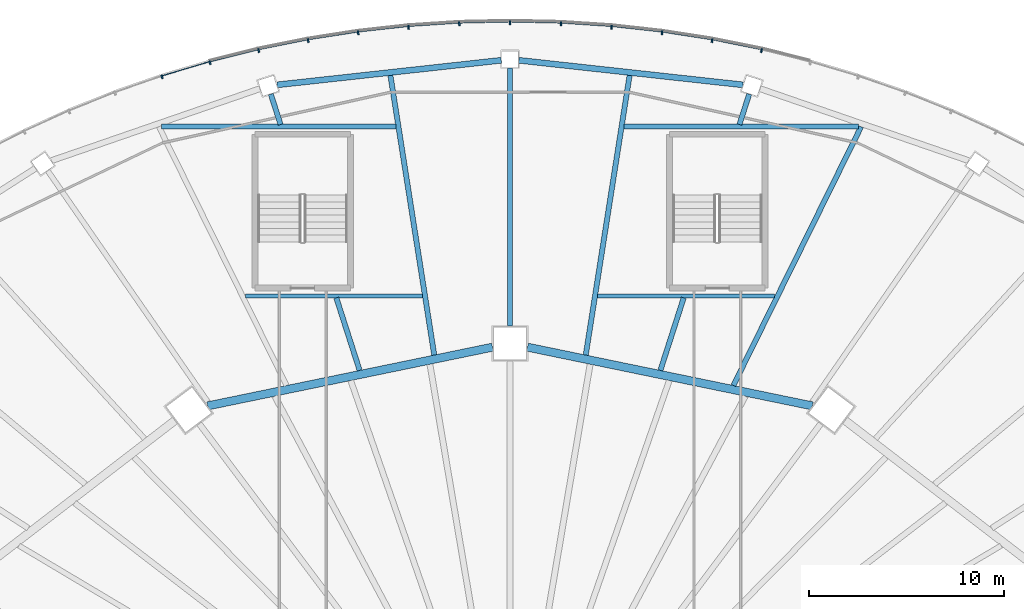
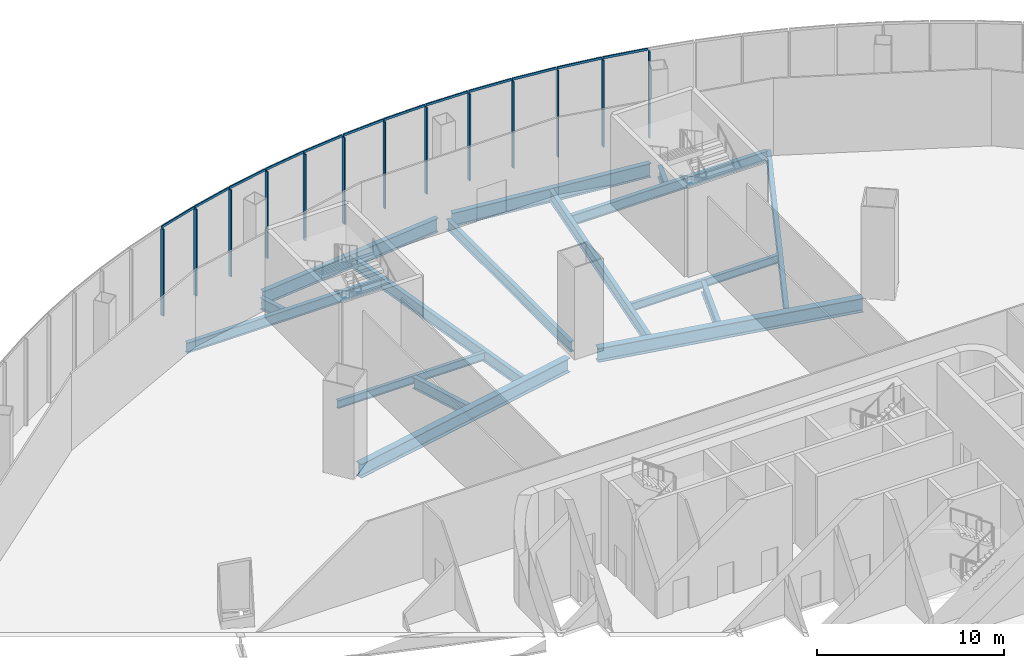
# One storey, part 14 of 37: 25 members, 16 beams, 3 elements without a shape of their own.
"""IFC4 building model written with IfcOpenShell, lengths in metres."""

from ifc_helpers import new_model, si_unit, direction, frame, origin, origin_2d, place, context, subcontext, project, spatial, rectangle, i_section, extrude, material, layer, layer_set, material_profile, profile_set, type_object, element, aggregate, save


model = new_model("IFC4")

# Units and contexts
model_context = context("Model", 3, precision=1e-05, world=origin(), true_north=direction((0.0, 1.0)))
body_context = subcontext(model_context, "Body", "Model", "MODEL_VIEW")
ifc_project = project(units=[si_unit("LENGTHUNIT", "METRE"), si_unit("AREAUNIT", "SQUARE_METRE"), si_unit("VOLUMEUNIT", "CUBIC_METRE"), si_unit("PLANEANGLEUNIT", "RADIAN"), si_unit("MASSUNIT", "GRAM", prefix="KILO")], contexts=[model_context])

# Site, building, storey
site_placement = place(None, origin())
site = spatial("IfcSite", under=ifc_project, at=site_placement, CompositionType="ELEMENT")
building_placement = place(site_placement, origin())
building = spatial("IfcBuilding", under=site, at=building_placement, Name="Sahrelin Media Tower", CompositionType="ELEMENT")
storey_placement = place(building_placement, frame((0.0, 0.0, 31.39990234375)))
storey = spatial("IfcBuildingStorey", under=building, at=storey_placement, Name="L04", CompositionType="ELEMENT", Elevation=31.39990234375)

# Beams
ifc_material_1 = material(Name="Steel S355", Category="steel")
ifc_material_profile_1 = material_profile(ifc_material_1, i_section(OverallWidth=0.208740234375, OverallDepth=0.5283203125, WebThickness=0.009521484375, FlangeThickness=0.01318359375, FilletRadius=0.0126953125, at=origin_2d()), Name="UB 533x210x82")
ifc_profile_set_1 = profile_set([ifc_material_profile_1], Name="Steel S355")
beam_type_1 = type_object("IfcBeamType", Name="Header beam HB6", PredefinedType="BEAM", material=ifc_profile_set_1)
for number, where, z_axis, x_axis, name in (
    (1, (13.59814453125, 27.85009765625, -0.464111328125), (-1.0, 0.0, 0.0), (0.0, -1.0, 0.0), "Header beam L04-01"),
    (2, (-4.50146484375, 27.85009765625, -0.464111328125), (-1.0, 0.0, 0.0), (0.0, -1.0, 0.0), "Header beam L04-03"),
):
    element("IfcBeam", number, at=place(storey_placement, frame(where, z_axis=z_axis, x_axis=x_axis)), inside=storey, type_object=beam_type_1, Name=name, PredefinedType="BEAM", context=body_context, shape_type="SweptSolid", body=[
        extrude(i_section(OverallWidth=0.208740234375, OverallDepth=0.5283203125, WebThickness=0.009521484375, FlangeThickness=0.01318359375, FilletRadius=0.0126953125, at=origin_2d()), origin(), (0.0, 0.0, 1.0), 9.0966796875),
    ])
ifc_material_profile_2 = material_profile(ifc_material_1, i_section(OverallWidth=0.2529296875, OverallDepth=0.677978515625, WebThickness=0.01171875, FlangeThickness=0.01611328125, FilletRadius=0.01513671875, at=origin_2d()), Name="UB 686x254x125")
ifc_profile_set_2 = profile_set([ifc_material_profile_2], Name="Steel S355")
beam_type_2 = type_object("IfcBeamType", Name="Header beam HB8", PredefinedType="BEAM", material=ifc_profile_set_2)
for number, where, z_axis, x_axis, name in (
    (3, (5.86572265625, 36.550048828125, -0.538818359375), (1.0, 0.0, 0.0), (0.0, 1.0, 0.0), "Header beam L04-02"),
    (4, (-17.892333984375, 36.550048828125, -0.538818359375), (1.0, 0.0, 0.0), (0.0, 1.0, 0.0), "Header beam L04-04"),
):
    element("IfcBeam", number, at=place(storey_placement, frame(where, z_axis=z_axis, x_axis=x_axis)), inside=storey, type_object=beam_type_2, Name=name, PredefinedType="BEAM", context=body_context, shape_type="SweptSolid", body=[
        extrude(i_section(OverallWidth=0.2529296875, OverallDepth=0.677978515625, WebThickness=0.01171875, FlangeThickness=0.01611328125, FilletRadius=0.01513671875, at=origin_2d()), origin(), (0.0, 0.0, 1.0), 12.026611328125),
    ])

# Curtain wall, members
ifc_material_2 = material(Name="Champagne anodised aluminium 6063-T6", Category="aluminium")
ifc_layer = layer(ifc_material_2, 0.14990234375)
ifc_layer_set = layer_set([ifc_layer], Name="Podium ribbon curtain wall")
curtain_wall_type = type_object("IfcCurtainWallType", Name="Podium ribbon curtain wall", PredefinedType="NOTDEFINED", material=ifc_layer_set)
curtain_wall_1_placement = place(storey_placement, frame((12.94091796875, 40.56884765625, 0.0), z_axis=(0.0, 0.0, 1.0), x_axis=(1.0, 0.0, 0.0)))
curtain_wall_1 = element("IfcCurtainWall", 5, at=curtain_wall_1_placement, inside=storey, type_object=curtain_wall_type, Name="L04:CW:L04-P05", PredefinedType="NOTDEFINED")
ifc_material_profile_3 = material_profile(ifc_material_2, rectangle(XDim=0.080078125, YDim=0.199951171875, at=origin_2d()), Name="Mullion 80x200")
ifc_profile_set_3 = profile_set([ifc_material_profile_3], Name="Champagne anodised aluminium 6063-T6")
member_type_1 = type_object("IfcMemberType", Name="Mullion 80x200 CW5", PredefinedType="MULLION", material=ifc_profile_set_3)
member_1_placement = place(storey_placement, frame((12.917236328125, 40.451416015625, 0.0), z_axis=(0.0, 0.0, 1.0), x_axis=(-0.980267034681, 0.197677871087, 0.0)))
member_1 = element("IfcMember", 6, at=member_1_placement, type_object=member_type_1, Name="L04:CWM1:L04-P05", PredefinedType="MULLION", context=body_context, shape_type="SweptSolid", body=[
    extrude(rectangle(XDim=0.080078125, YDim=0.199951171875, at=origin_2d()), origin(), (0.0, 0.0, 1.0), 5.650146484375),
])
member_2_placement = place(storey_placement, frame((10.377197265625, 40.963623046875, 0.0), z_axis=(0.0, 0.0, 1.0), x_axis=(-0.988097990296, 0.15382575068, 0.0)))
member_2 = element("IfcMember", 7, at=member_2_placement, type_object=member_type_1, Name="L04:CWM2:L04-P05", PredefinedType="MULLION", context=body_context, shape_type="SweptSolid", body=[
    extrude(rectangle(XDim=0.080078125, YDim=0.199951171875, at=origin_2d()), origin(), (0.0, 0.0, 1.0), 5.650146484375),
])
member_3_placement = place(storey_placement, frame((7.80859375, 41.363525390625, 0.0), z_axis=(0.0, 0.0, 1.0), x_axis=(-0.993941020741, 0.109914727352, 0.0)))
member_3 = element("IfcMember", 8, at=member_3_placement, type_object=member_type_1, Name="L04:CWM3:L04-P05", PredefinedType="MULLION", context=body_context, shape_type="SweptSolid", body=[
    extrude(rectangle(XDim=0.080078125, YDim=0.199951171875, at=origin_2d()), origin(), (0.0, 0.0, 1.0), 5.650146484375),
])
member_4_placement = place(storey_placement, frame((5.218505859375, 41.650146484375, 0.0), z_axis=(0.0, 0.0, 1.0), x_axis=(-0.997822354733, 0.06595868703, 0.0)))
member_4 = element("IfcMember", 9, at=member_4_placement, type_object=member_type_1, Name="L04:CWM4:L04-P05", PredefinedType="MULLION", context=body_context, shape_type="SweptSolid", body=[
    extrude(rectangle(XDim=0.080078125, YDim=0.199951171875, at=origin_2d()), origin(), (0.0, 0.0, 1.0), 5.650146484375),
])
member_5_placement = place(storey_placement, frame((2.6142578125, 41.822509765625, 0.0), z_axis=(0.0, 0.0, 1.0), x_axis=(-0.999757820498, 0.022006825162, 0.0)))
member_5 = element("IfcMember", 10, at=member_5_placement, type_object=member_type_1, Name="L04:CWM5:L04-P05", PredefinedType="MULLION", context=body_context, shape_type="SweptSolid", body=[
    extrude(rectangle(XDim=0.080078125, YDim=0.199951171875, at=origin_2d()), origin(), (0.0, 0.0, 1.0), 5.650146484375),
])

curtain_wall_2_placement = place(storey_placement, frame((0.0, 42.0, 0.0), z_axis=(0.0, 0.0, 1.0), x_axis=(1.0, 0.0, 0.0)))
curtain_wall_2 = element("IfcCurtainWall", 11, at=curtain_wall_2_placement, inside=storey, type_object=curtain_wall_type, Name="L04:CW:L04-P06", PredefinedType="NOTDEFINED")
member_6_placement = place(storey_placement, frame((0.002685546875, 41.8798828125, 0.0), z_axis=(0.0, 0.0, 1.0), x_axis=(-0.999757820498, -0.022006825162, 0.0)))
member_6 = element("IfcMember", 12, at=member_6_placement, type_object=member_type_1, Name="L04:CWM1:L04-P06", PredefinedType="MULLION", context=body_context, shape_type="SweptSolid", body=[
    extrude(rectangle(XDim=0.080078125, YDim=0.199951171875, at=origin_2d()), origin(), (0.0, 0.0, 1.0), 5.650146484375),
])
member_7_placement = place(storey_placement, frame((-2.60888671875, 41.82275390625, 0.0), z_axis=(0.0, 0.0, 1.0), x_axis=(-0.997822354733, -0.06595868703, 0.0)))
member_7 = element("IfcMember", 13, at=member_7_placement, type_object=member_type_1, Name="L04:CWM2:L04-P06", PredefinedType="MULLION", context=body_context, shape_type="SweptSolid", body=[
    extrude(rectangle(XDim=0.080078125, YDim=0.199951171875, at=origin_2d()), origin(), (0.0, 0.0, 1.0), 5.650146484375),
])
member_8_placement = place(storey_placement, frame((-5.213134765625, 41.650634765625, 0.0), z_axis=(0.0, 0.0, 1.0), x_axis=(-0.993941020741, -0.109914727352, 0.0)))
member_8 = element("IfcMember", 14, at=member_8_placement, type_object=member_type_1, Name="L04:CWM3:L04-P06", PredefinedType="MULLION", context=body_context, shape_type="SweptSolid", body=[
    extrude(rectangle(XDim=0.080078125, YDim=0.199951171875, at=origin_2d()), origin(), (0.0, 0.0, 1.0), 5.650146484375),
])
member_9_placement = place(storey_placement, frame((-7.80322265625, 41.3642578125, 0.0), z_axis=(0.0, 0.0, 1.0), x_axis=(-0.988097990296, -0.15382575068, 0.0)))
member_9 = element("IfcMember", 15, at=member_9_placement, type_object=member_type_1, Name="L04:CWM4:L04-P06", PredefinedType="MULLION", context=body_context, shape_type="SweptSolid", body=[
    extrude(rectangle(XDim=0.080078125, YDim=0.199951171875, at=origin_2d()), origin(), (0.0, 0.0, 1.0), 5.650146484375),
])
member_10_placement = place(storey_placement, frame((-10.371826171875, 40.964599609375, 0.0), z_axis=(0.0, 0.0, 1.0), x_axis=(-0.980267034681, -0.197677871087, 0.0)))
member_10 = element("IfcMember", 16, at=member_10_placement, type_object=member_type_1, Name="L04:CWM5:L04-P06", PredefinedType="MULLION", context=body_context, shape_type="SweptSolid", body=[
    extrude(rectangle(XDim=0.080078125, YDim=0.199951171875, at=origin_2d()), origin(), (0.0, 0.0, 1.0), 5.650146484375),
])

curtain_wall_3_placement = place(storey_placement, frame((-12.94091796875, 40.56884765625, 0.0), z_axis=(0.0, 0.0, 1.0), x_axis=(1.0, 0.0, 0.0)))
curtain_wall_3 = element("IfcCurtainWall", 17, at=curtain_wall_3_placement, inside=storey, type_object=curtain_wall_type, Name="L04:CW:L04-P07", PredefinedType="NOTDEFINED")
member_11_placement = place(storey_placement, frame((-12.912109375, 40.452392578125, 0.0), z_axis=(0.0, 0.0, 1.0), x_axis=(-0.970410464409, -0.241461240296, 0.0)))
member_11 = element("IfcMember", 18, at=member_11_placement, type_object=member_type_1, Name="L04:CWM1:L04-P07", PredefinedType="MULLION", context=body_context, shape_type="SweptSolid", body=[
    extrude(rectangle(XDim=0.080078125, YDim=0.199951171875, at=origin_2d()), origin(), (0.0, 0.0, 1.0), 5.650146484375),
])
member_12_placement = place(storey_placement, frame((-15.41650390625, 39.829345703125, 0.0), z_axis=(0.0, 0.0, 1.0), x_axis=(-0.958494922328, -0.285109599754, 0.0)))
member_12 = element("IfcMember", 19, at=member_12_placement, type_object=member_type_1, Name="L04:CWM2:L04-P07", PredefinedType="MULLION", context=body_context, shape_type="SweptSolid", body=[
    extrude(rectangle(XDim=0.080078125, YDim=0.199951171875, at=origin_2d()), origin(), (0.0, 0.0, 1.0), 5.650146484375),
])
member_13_placement = place(storey_placement, frame((-17.87890625, 39.09716796875, 0.0), z_axis=(0.0, 0.0, 1.0), x_axis=(-0.944458420046, -0.328630937077, 0.0)))
member_13 = element("IfcMember", 20, at=member_13_placement, type_object=member_type_1, Name="L04:CWM3:L04-P07", PredefinedType="MULLION", context=body_context, shape_type="SweptSolid", body=[
    extrude(rectangle(XDim=0.080078125, YDim=0.199951171875, at=origin_2d()), origin(), (0.0, 0.0, 1.0), 5.650146484375),
])

# Beams
ifc_material_profile_4 = material_profile(ifc_material_1, i_section(OverallWidth=0.30322265625, OverallDepth=0.903076171875, WebThickness=0.01513671875, FlangeThickness=0.020263671875, FilletRadius=0.01904296875, at=origin_2d()), Name="UB 914x305x201")
ifc_profile_set_4 = profile_set([ifc_material_profile_4], Name="Steel S355")
beam_type_3 = type_object("IfcBeamType", Name="Podium edge girder PE11", PredefinedType="BEAM", material=ifc_profile_set_4)
for number, where, z_axis, x_axis, name in (
    (21, (11.966796875, 38.68701171875, -0.6513671875), (-0.994034160473, 0.109069188193, 0.0), (-0.109069188193, -0.994034160473, 0.0), "Podium edge girder L04-06"),
    (22, (-0.449951171875, 39.95068359375, -0.6513671875), (-0.994034160473, -0.109069188193, 0.0), (0.109069188193, -0.994034160473, 0.0), "Podium edge girder L04-07"),
):
    element("IfcBeam", number, at=place(storey_placement, frame(where, z_axis=z_axis, x_axis=x_axis)), inside=storey, type_object=beam_type_3, Name=name, PredefinedType="BEAM", context=body_context, shape_type="SweptSolid", body=[
        extrude(i_section(OverallWidth=0.30322265625, OverallDepth=0.903076171875, WebThickness=0.01513671875, FlangeThickness=0.020263671875, FilletRadius=0.01904296875, at=origin_2d()), origin(), (0.0, 0.0, 1.0), 11.5859375),
    ])
ifc_material_profile_5 = material_profile(ifc_material_1, i_section(OverallWidth=0.41845703125, OverallDepth=0.911865234375, WebThickness=0.019287109375, FlangeThickness=0.031982421875, FilletRadius=0.024169921875, at=origin_2d()), Name="UB 914x419x343")
ifc_profile_set_5 = profile_set([ifc_material_profile_5], Name="Steel S355")
beam_type_4 = type_object("IfcBeamType", Name="Podium ring girder PG12", PredefinedType="BEAM", material=ifc_profile_set_5)
for number, where, z_axis, x_axis, name in (
    (23, (15.525634765625, 22.197998046875, -0.65576171875), (-0.979388513106, 0.201985495508, 0.0), (-0.201985495508, -0.979388513106, 0.0), "Podium girder L04-03"),
    (24, (-0.89990234375, 25.21435546875, -0.65576171875), (-0.979388513106, -0.201985495508, 0.0), (0.201985495508, -0.979388513106, 0.0), "Podium girder L04-04"),
):
    element("IfcBeam", number, at=place(storey_placement, frame(where, z_axis=z_axis, x_axis=x_axis)), inside=storey, type_object=beam_type_4, Name=name, PredefinedType="BEAM", context=body_context, shape_type="SweptSolid", body=[
        extrude(i_section(OverallWidth=0.41845703125, OverallDepth=0.911865234375, WebThickness=0.019287109375, FlangeThickness=0.031982421875, FilletRadius=0.024169921875, at=origin_2d()), origin(), (0.0, 0.0, 1.0), 14.93359375),
    ])
ifc_material_profile_6 = material_profile(ifc_material_1, i_section(OverallWidth=0.2529296875, OverallDepth=0.677978515625, WebThickness=0.01171875, FlangeThickness=0.01611328125, FilletRadius=0.01513671875, at=origin_2d()), Name="UB 686x254x125")
ifc_profile_set_6 = profile_set([ifc_material_profile_6], Name="Steel S355")
beam_type_5 = type_object("IfcBeamType", Name="Radial primary beam PB8", PredefinedType="BEAM", material=ifc_profile_set_6)
beam_1_placement = place(storey_placement, frame((0.0, 26.300048828125, -0.538818359375), z_axis=(0.0, 1.0, 0.0), x_axis=(-1.0, 0.0, 0.0)))
element("IfcBeam", 25, at=beam_1_placement, inside=storey, type_object=beam_type_5, Name="Radial beam L04-08", PredefinedType="BEAM", context=body_context, shape_type="SweptSolid", body=[
    extrude(i_section(OverallWidth=0.2529296875, OverallDepth=0.677978515625, WebThickness=0.01171875, FlangeThickness=0.01611328125, FilletRadius=0.01513671875, at=origin_2d()), origin(), (0.0, 0.0, 1.0), 13.25),
])
ifc_material_profile_7 = material_profile(ifc_material_1, i_section(OverallWidth=0.26513671875, OverallDepth=0.75390625, WebThickness=0.0126953125, FlangeThickness=0.017578125, FilletRadius=0.0166015625, at=origin_2d()), Name="UB 762x267x147")
ifc_profile_set_7 = profile_set([ifc_material_profile_7], Name="Steel S355")
beam_type_6 = type_object("IfcBeamType", Name="Radial primary beam PB9", PredefinedType="BEAM", material=ifc_profile_set_7)
beam_2_placement = place(storey_placement, frame((7.7236328125, 24.020751953125, -0.576904296875), z_axis=(0.30607575523, 0.952007159669, 0.0), x_axis=(-0.952007159669, 0.30607575523, 0.0)))
element("IfcBeam", 26, at=beam_2_placement, inside=storey, type_object=beam_type_6, Name="Radial beam L04-06", PredefinedType="BEAM", context=body_context, shape_type="SweptSolid", body=[
    extrude(i_section(OverallWidth=0.26513671875, OverallDepth=0.75390625, WebThickness=0.0126953125, FlangeThickness=0.017578125, FilletRadius=0.0166015625, at=origin_2d()), origin(), (0.0, 0.0, 1.0), 3.917236328125),
])
beam_3_placement = place(storey_placement, frame((11.784423828125, 36.64990234375, -0.576904296875), z_axis=(0.306144333921, 0.951985108501, 0.0), x_axis=(-0.951985108501, 0.306144333921, 0.0)))
element("IfcBeam", 27, at=beam_3_placement, inside=storey, type_object=beam_type_6, Name="Radial beam L04-07", PredefinedType="BEAM", context=body_context, shape_type="SweptSolid", body=[
    extrude(i_section(OverallWidth=0.26513671875, OverallDepth=0.75390625, WebThickness=0.0126953125, FlangeThickness=0.017578125, FilletRadius=0.0166015625, at=origin_2d()), origin(), (0.0, 0.0, 1.0), 1.63720703125),
])
beam_4_placement = place(storey_placement, frame((-7.7236328125, 24.020751953125, -0.576904296875), z_axis=(-0.30607575523, 0.952007159669, 0.0), x_axis=(-0.952007159669, -0.30607575523, 0.0)))
element("IfcBeam", 28, at=beam_4_placement, inside=storey, type_object=beam_type_6, Name="Radial beam L04-09", PredefinedType="BEAM", context=body_context, shape_type="SweptSolid", body=[
    extrude(i_section(OverallWidth=0.26513671875, OverallDepth=0.75390625, WebThickness=0.0126953125, FlangeThickness=0.017578125, FilletRadius=0.0166015625, at=origin_2d()), origin(), (0.0, 0.0, 1.0), 3.917236328125),
])
beam_5_placement = place(storey_placement, frame((-11.784423828125, 36.64990234375, -0.576904296875), z_axis=(-0.306144333921, 0.951985108501, 0.0), x_axis=(-0.951985108501, -0.306144333921, 0.0)))
element("IfcBeam", 29, at=beam_5_placement, inside=storey, type_object=beam_type_6, Name="Radial beam L04-10", PredefinedType="BEAM", context=body_context, shape_type="SweptSolid", body=[
    extrude(i_section(OverallWidth=0.26513671875, OverallDepth=0.75390625, WebThickness=0.0126953125, FlangeThickness=0.017578125, FilletRadius=0.0166015625, at=origin_2d()), origin(), (0.0, 0.0, 1.0), 1.63720703125),
])
ifc_material_profile_8 = material_profile(ifc_material_1, i_section(OverallWidth=0.26513671875, OverallDepth=0.75390625, WebThickness=0.0126953125, FlangeThickness=0.017578125, FilletRadius=0.0166015625, at=origin_2d()), Name="UB 762x267x147")
ifc_profile_set_8 = profile_set([ifc_material_profile_8], Name="Steel S355")
beam_type_7 = type_object("IfcBeamType", Name="Radial secondary beam SB9", PredefinedType="BEAM", material=ifc_profile_set_8)
beam_6_placement = place(storey_placement, frame((11.47412109375, 23.247314453125, -0.576904296875), z_axis=(0.442602611298, 0.896717864477, 0.0), x_axis=(-0.896717864477, 0.442602611298, 0.0)))
element("IfcBeam", 30, at=beam_6_placement, inside=storey, type_object=beam_type_7, Name="Secondary beam L04-05", PredefinedType="BEAM", context=body_context, shape_type="SweptSolid", body=[
    extrude(i_section(OverallWidth=0.26513671875, OverallDepth=0.75390625, WebThickness=0.0126953125, FlangeThickness=0.017578125, FilletRadius=0.0166015625, at=origin_2d()), origin(), (0.0, 0.0, 1.0), 14.8232421875),
])
for number, where, z_axis, x_axis, name in (
    (31, (3.890869140625, 24.811279296875, -0.576904296875), (0.154919883605, 0.987927036609, 0.0), (-0.987927036609, 0.154919883605, 0.0), "Secondary beam L04-06"),
    (32, (-3.890869140625, 24.811279296875, -0.576904296875), (-0.154919883605, 0.987927036609, 0.0), (-0.987927036609, -0.154919883605, 0.0), "Secondary beam L04-07"),
):
    element("IfcBeam", number, at=place(storey_placement, frame(where, z_axis=z_axis, x_axis=x_axis)), inside=storey, type_object=beam_type_7, Name=name, PredefinedType="BEAM", context=body_context, shape_type="SweptSolid", body=[
        extrude(i_section(OverallWidth=0.26513671875, OverallDepth=0.75390625, WebThickness=0.0126953125, FlangeThickness=0.017578125, FilletRadius=0.0166015625, at=origin_2d()), origin(), (0.0, 0.0, 1.0), 14.537841796875),
    ])

# Member
ifc_material_profile_9 = material_profile(ifc_material_2, rectangle(XDim=0.06005859375, YDim=0.14990234375, at=origin_2d()), Name="Transom 60x150")
ifc_profile_set_9 = profile_set([ifc_material_profile_9], Name="Champagne anodised aluminium 6063-T6")
member_type_2 = type_object("IfcMemberType", Name="Transom 60x150 CW5", PredefinedType="USERDEFINED", material=ifc_profile_set_9)
member_14_placement = place(storey_placement, frame((12.882080078125, 40.52978515625, 5.72509765625), z_axis=(-0.980266003838, 0.197682982877, 0.0), x_axis=(-0.197682982877, -0.980266003838, 0.0)))
member_14 = element("IfcMember", 33, at=member_14_placement, type_object=member_type_2, Name="L04:CWT1a:L04-P05", ObjectType="TRANSOM", PredefinedType="USERDEFINED", context=body_context, shape_type="SweptSolid", body=[
    extrude(rectangle(XDim=0.06005859375, YDim=0.14990234375, at=origin_2d()), origin(), (0.0, 0.0, 1.0), 2.546630859375),
])

member_15_placement = place(storey_placement, frame((10.33837890625, 41.04052734375, 5.72509765625), z_axis=(-0.98809388136, 0.153852142069, 0.0), x_axis=(-0.153852142069, -0.98809388136, 0.0)))
member_15 = element("IfcMember", 34, at=member_15_placement, type_object=member_type_2, Name="L04:CWT2a:L04-P05", ObjectType="TRANSOM", PredefinedType="USERDEFINED", context=body_context, shape_type="SweptSolid", body=[
    extrude(rectangle(XDim=0.06005859375, YDim=0.14990234375, at=origin_2d()), origin(), (0.0, 0.0, 1.0), 2.554931640625),
])

member_16_placement = place(storey_placement, frame((7.7666015625, 41.438720703125, 5.72509765625), z_axis=(-0.9939417213, 0.109908392122, 0.0), x_axis=(-0.109908392122, -0.9939417213, 0.0)))
member_16 = element("IfcMember", 35, at=member_16_placement, type_object=member_type_2, Name="L04:CWT3a:L04-P05", ObjectType="TRANSOM", PredefinedType="USERDEFINED", context=body_context, shape_type="SweptSolid", body=[
    extrude(rectangle(XDim=0.06005859375, YDim=0.14990234375, at=origin_2d()), origin(), (0.0, 0.0, 1.0), 2.561279296875),
])

member_17_placement = place(storey_placement, frame((5.173095703125, 41.723388671875, 5.72509765625), z_axis=(-0.997822480178, 0.065956789275, 0.0), x_axis=(-0.065956789275, -0.997822480178, 0.0)))
member_17 = element("IfcMember", 36, at=member_17_placement, type_object=member_type_2, Name="L04:CWT4a:L04-P05", ObjectType="TRANSOM", PredefinedType="USERDEFINED", context=body_context, shape_type="SweptSolid", body=[
    extrude(rectangle(XDim=0.06005859375, YDim=0.14990234375, at=origin_2d()), origin(), (0.0, 0.0, 1.0), 2.565185546875),
])

member_18_placement = place(storey_placement, frame((2.565673828125, 41.8935546875, 5.72509765625), z_axis=(-0.999758731389, 0.021965404884, 0.0), x_axis=(-0.021965404884, -0.999758731389, 0.0)))
member_18 = element("IfcMember", 37, at=member_18_placement, type_object=member_type_2, Name="L04:CWT5a:L04-P05", ObjectType="TRANSOM", PredefinedType="USERDEFINED", context=body_context, shape_type="SweptSolid", body=[
    extrude(rectangle(XDim=0.06005859375, YDim=0.14990234375, at=origin_2d()), origin(), (0.0, 0.0, 1.0), 2.567626953125),
])

aggregate(curtain_wall_1, [member_1, member_14, member_2, member_15, member_3, member_16, member_4, member_17, member_5, member_18])

member_19_placement = place(storey_placement, frame((-0.048828125, 41.948974609375, 5.72509765625), z_axis=(-0.999756638726, -0.022060447041, 0.0), x_axis=(0.022060447041, -0.999756638726, 0.0)))
member_19 = element("IfcMember", 38, at=member_19_placement, type_object=member_type_2, Name="L04:CWT1a:L04-P06", ObjectType="TRANSOM", PredefinedType="USERDEFINED", context=body_context, shape_type="SweptSolid", body=[
    extrude(rectangle(XDim=0.06005859375, YDim=0.14990234375, at=origin_2d()), origin(), (0.0, 0.0, 1.0), 2.567626953125),
])

member_20_placement = place(storey_placement, frame((-2.663330078125, 41.88916015625, 5.72509765625), z_axis=(-0.997822894162, -0.065950526052, 0.0), x_axis=(0.065950526052, -0.997822894162, 0.0)))
member_20 = element("IfcMember", 39, at=member_20_placement, type_object=member_type_2, Name="L04:CWT2a:L04-P06", ObjectType="TRANSOM", PredefinedType="USERDEFINED", context=body_context, shape_type="SweptSolid", body=[
    extrude(rectangle(XDim=0.06005859375, YDim=0.14990234375, at=origin_2d()), origin(), (0.0, 0.0, 1.0), 2.5654296875),
])

member_21_placement = place(storey_placement, frame((-5.2705078125, 41.714599609375, 5.72509765625), z_axis=(-0.9939417213, -0.109908392122, 0.0), x_axis=(0.109908392122, -0.9939417213, 0.0)))
member_21 = element("IfcMember", 40, at=member_21_placement, type_object=member_type_2, Name="L04:CWT3a:L04-P06", ObjectType="TRANSOM", PredefinedType="USERDEFINED", context=body_context, shape_type="SweptSolid", body=[
    extrude(rectangle(XDim=0.06005859375, YDim=0.14990234375, at=origin_2d()), origin(), (0.0, 0.0, 1.0), 2.561279296875),
])

member_22_placement = place(storey_placement, frame((-7.86328125, 41.42578125, 5.72509765625), z_axis=(-0.988096142999, -0.153837616307, 0.0), x_axis=(0.153837616307, -0.988096142999, 0.0)))
member_22 = element("IfcMember", 41, at=member_22_placement, type_object=member_type_2, Name="L04:CWT4a:L04-P06", ObjectType="TRANSOM", PredefinedType="USERDEFINED", context=body_context, shape_type="SweptSolid", body=[
    extrude(rectangle(XDim=0.06005859375, YDim=0.14990234375, at=origin_2d()), origin(), (0.0, 0.0, 1.0), 2.55517578125),
])

member_23_placement = place(storey_placement, frame((-10.434814453125, 41.023193359375, 5.72509765625), z_axis=(-0.980284577643, -0.197590857166, 0.0), x_axis=(0.197590857166, -0.980284577643, 0.0)))
member_23 = element("IfcMember", 42, at=member_23_placement, type_object=member_type_2, Name="L04:CWT5a:L04-P06", ObjectType="TRANSOM", PredefinedType="USERDEFINED", context=body_context, shape_type="SweptSolid", body=[
    extrude(rectangle(XDim=0.06005859375, YDim=0.14990234375, at=origin_2d()), origin(), (0.0, 0.0, 1.0), 2.546630859375),
])

aggregate(curtain_wall_2, [member_6, member_19, member_7, member_20, member_8, member_21, member_9, member_22, member_10, member_23])

member_24_placement = place(storey_placement, frame((-12.977294921875, 40.50830078125, 5.72509765625), z_axis=(-0.970424936956, -0.241403069023, 0.0), x_axis=(0.241403069023, -0.970424936956, 0.0)))
member_24 = element("IfcMember", 43, at=member_24_placement, type_object=member_type_2, Name="L04:CWT1a:L04-P07", ObjectType="TRANSOM", PredefinedType="USERDEFINED", context=body_context, shape_type="SweptSolid", body=[
    extrude(rectangle(XDim=0.06005859375, YDim=0.14990234375, at=origin_2d()), origin(), (0.0, 0.0, 1.0), 2.536376953125),
])

member_25_placement = place(storey_placement, frame((-15.484619140625, 39.882080078125, 5.72509765625), z_axis=(-0.958515646139, -0.285039920199, 0.0), x_axis=(0.285039920199, -0.958515646139, 0.0)))
member_25 = element("IfcMember", 44, at=member_25_placement, type_object=member_type_2, Name="L04:CWT2a:L04-P07", ObjectType="TRANSOM", PredefinedType="USERDEFINED", context=body_context, shape_type="SweptSolid", body=[
    extrude(rectangle(XDim=0.06005859375, YDim=0.14990234375, at=origin_2d()), origin(), (0.0, 0.0, 1.0), 2.524169921875),
])

aggregate(curtain_wall_3, [member_11, member_24, member_12, member_25, member_13])

save(model, "model.ifc")
